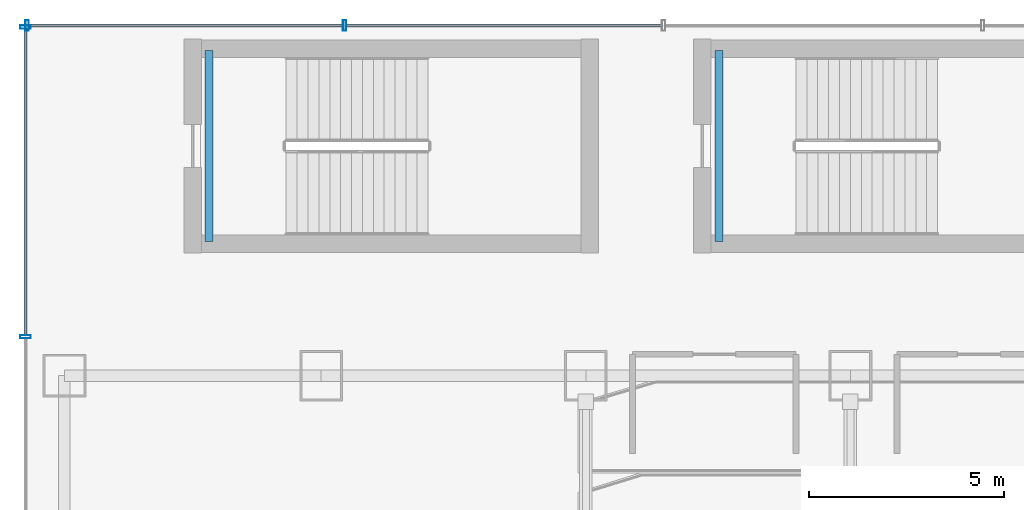
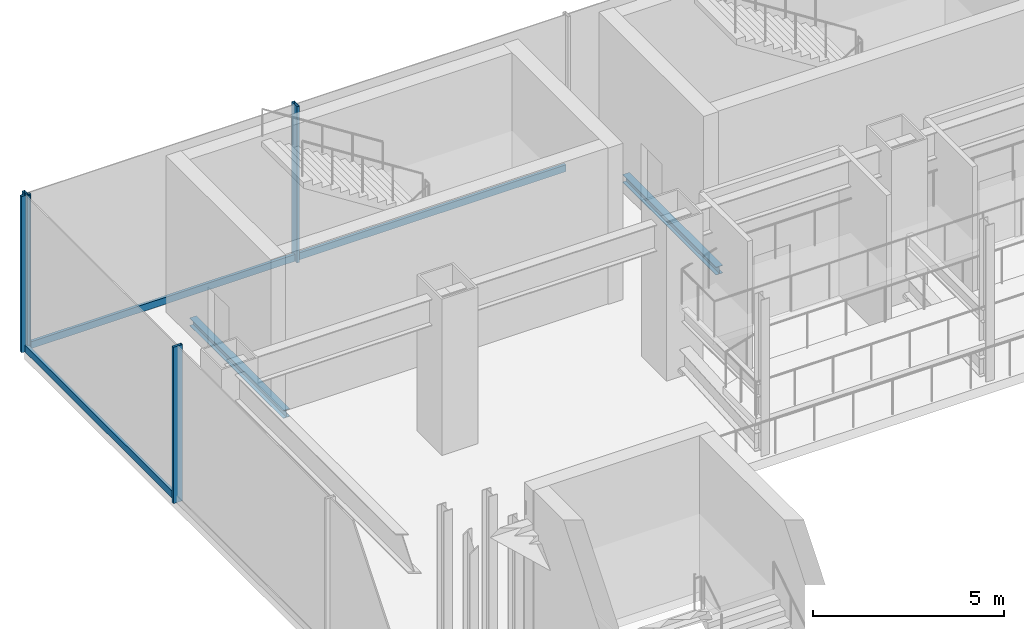
# One storey, part 14 of 40: 7 members, 2 beams, 2 elements without a shape of their own.
"""IFC4 building model written with IfcOpenShell, lengths in metres."""

from ifc_helpers import new_model, si_unit, derived_unit, direction, frame, origin, origin_2d, place, context, subcontext, project, spatial, hollow_rectangle, i_section, extrude, source, transform, mapped, material, material_profile, profile_set, type_object, element, aggregate, save


model = new_model("IFC4")

# Units and contexts
model_context = context("Model", 3, precision=1e-05, world=origin(), true_north=direction((0.0, 1.0)))
body_context = subcontext(model_context, "Body", "Model", "MODEL_VIEW")
ifc_project = project(units=[si_unit("LENGTHUNIT", "METRE"), si_unit("AREAUNIT", "SQUARE_METRE"), si_unit("VOLUMEUNIT", "CUBIC_METRE"), si_unit("PLANEANGLEUNIT", "RADIAN"), si_unit("MASSUNIT", "GRAM", prefix="KILO"), derived_unit("THERMALTRANSMITTANCEUNIT", [(si_unit("POWERUNIT", "WATT"), 1), (si_unit("LENGTHUNIT", "METRE"), -2), (si_unit("THERMODYNAMICTEMPERATUREUNIT", "KELVIN"), -1)])], contexts=[model_context])

# Site, building, storey
site_placement = place(None, origin())
site = spatial("IfcSite", under=ifc_project, at=site_placement, CompositionType="ELEMENT")
building_placement = place(site_placement, origin())
building = spatial("IfcBuilding", under=site, at=building_placement, Name="Skarnbrae Concourse Arena and Tower", CompositionType="ELEMENT")
storey_placement = place(building_placement, frame((0.0, 0.0, 6.0)))
storey = spatial("IfcBuildingStorey", under=building, at=storey_placement, Name="L01", CompositionType="ELEMENT", Elevation=6.0)

# Curtain wall, members
ifc_material_1 = material(Name="Bronze anodised aluminium 6063-T6", Category="aluminium")
curtain_wall_type = type_object("IfcCurtainWallType", Name="CW-SYS-01-PODIUM", PredefinedType="USERDEFINED", material=ifc_material_1)
curtain_wall_1_placement = place(storey_placement, origin())
curtain_wall_1 = element("IfcCurtainWall", 1, at=curtain_wall_1_placement, inside=storey, type_object=curtain_wall_type, Name="L01 Unitised curtain wall CW-L01-N", ObjectType="UNITISED CURTAIN WALL", PredefinedType="USERDEFINED")
ifc_material_profile_1 = material_profile(ifc_material_1, hollow_rectangle(XDim=0.0849609375, YDim=0.280029296875, WallThickness=0.006103515625, at=origin_2d()), Name="ALU-MULL-85X280")
ifc_profile_set_1 = profile_set([ifc_material_profile_1], Name="Bronze anodised aluminium 6063-T6")
member_type_1 = type_object("IfcMemberType", Name="CWM-CW-01", PredefinedType="MULLION", material=ifc_profile_set_1)
shared_shape_1 = source(origin(), body_context, "Body", "SweptSolid", [
    extrude(hollow_rectangle(XDim=0.0849609375, YDim=0.280029296875, WallThickness=0.006103515625, at=origin_2d()), origin(), (0.0, 0.0, 1.0), 5.0),
])
member_1_placement = place(storey_placement, frame((8.199951171875, 56.0, 0.0), z_axis=(0.0, 0.0, 1.0), x_axis=(-1.0, 0.0, 0.0)))
member_1 = element("IfcMember", 2, at=member_1_placement, type_object=member_type_1, Name="CW-L01-N Mullion 10", PredefinedType="MULLION", context=body_context, shape_type="MappedRepresentation", body=[
    mapped(shared_shape_1, transform((0.0, 0.0, 0.0))),
])
member_2_placement = place(storey_placement, frame((0.04248046875, 56.0, 0.0), z_axis=(0.0, 0.0, 1.0), x_axis=(-1.0, 0.0, 0.0)))
member_2 = element("IfcMember", 3, at=member_2_placement, type_object=member_type_1, Name="CW-L01-N Mullion 11", PredefinedType="MULLION", context=body_context, shape_type="MappedRepresentation", body=[
    mapped(shared_shape_1, transform((0.0, 0.0, 0.0))),
])

curtain_wall_2_placement = place(storey_placement, origin())
curtain_wall_2 = element("IfcCurtainWall", 4, at=curtain_wall_2_placement, inside=storey, type_object=curtain_wall_type, Name="L01 Unitised curtain wall CW-L01-W", ObjectType="UNITISED CURTAIN WALL", PredefinedType="USERDEFINED")
member_3_placement = place(storey_placement, frame((0.0, 55.95751953125, 0.0), z_axis=(0.0, 0.0, 1.0), x_axis=(0.0, -1.0, 0.0)))
member_3 = element("IfcMember", 5, at=member_3_placement, type_object=member_type_1, Name="CW-L01-W Mullion 1", PredefinedType="MULLION", context=body_context, shape_type="MappedRepresentation", body=[
    mapped(shared_shape_1, transform((0.0, 0.0, 0.0))),
])
member_4_placement = place(storey_placement, frame((0.0, 48.0, 0.0), z_axis=(0.0, 0.0, 1.0), x_axis=(0.0, -1.0, 0.0)))
member_4 = element("IfcMember", 6, at=member_4_placement, type_object=member_type_1, Name="CW-L01-W Mullion 2", PredefinedType="MULLION", context=body_context, shape_type="MappedRepresentation", body=[
    mapped(shared_shape_1, transform((0.0, 0.0, 0.0))),
])
ifc_material_profile_2 = material_profile(ifc_material_1, hollow_rectangle(XDim=0.0849609375, YDim=0.219970703125, WallThickness=0.006103515625, at=origin_2d()), Name="ALU-TRAN-85X220")
ifc_profile_set_2 = profile_set([ifc_material_profile_2], Name="Bronze anodised aluminium 6063-T6")
member_type_2 = type_object("IfcMemberType", Name="CWT-CW-01", PredefinedType="USERDEFINED", material=ifc_profile_set_2)
shared_shape_2 = source(origin(), body_context, "Body", "SweptSolid", [
    extrude(hollow_rectangle(XDim=0.0849609375, YDim=0.219970703125, WallThickness=0.006103515625, at=origin_2d()), origin(), (0.0, 0.0, 1.0), 7.87255859375),
])
member_5_placement = place(storey_placement, frame((0.0, 55.9150390625, 0.110107421875), z_axis=(0.0, -1.0, 0.0), x_axis=(1.0, 0.0, 0.0)))
member_5 = element("IfcMember", 7, at=member_5_placement, type_object=member_type_2, Name="CW-L01-W Transom 1", ObjectType="TRANSOM", PredefinedType="USERDEFINED", context=body_context, shape_type="MappedRepresentation", body=[
    mapped(shared_shape_2, transform((0.0, 0.0, 0.0))),
])
aggregate(curtain_wall_2, [member_3, member_4, member_5])

# Member
shared_shape_3 = source(origin(), body_context, "Body", "SweptSolid", [
    extrude(hollow_rectangle(XDim=0.0849609375, YDim=0.219970703125, WallThickness=0.006103515625, at=origin_2d()), origin(), (0.0, 0.0, 1.0), 8.072509765625),
])
member_6_placement = place(storey_placement, frame((8.157470703125, 56.0, 0.110107421875), z_axis=(-1.0, 0.0, 0.0), x_axis=(0.0, -1.0, 0.0)))
member_6 = element("IfcMember", 8, at=member_6_placement, type_object=member_type_2, Name="CW-L01-N Transom 10", ObjectType="TRANSOM", PredefinedType="USERDEFINED", context=body_context, shape_type="MappedRepresentation", body=[
    mapped(shared_shape_3, transform((0.0, 0.0, 0.0))),
])

shared_shape_4 = source(origin(), body_context, "Body", "SweptSolid", [
    extrude(hollow_rectangle(XDim=0.0849609375, YDim=0.219970703125, WallThickness=0.006103515625, at=origin_2d()), origin(), (0.0, 0.0, 1.0), 8.114990234375),
])
member_7_placement = place(storey_placement, frame((16.357421875, 56.0, 0.110107421875), z_axis=(-1.0, 0.0, 0.0), x_axis=(0.0, -1.0, 0.0)))
member_7 = element("IfcMember", 9, at=member_7_placement, type_object=member_type_2, Name="CW-L01-N Transom 9", ObjectType="TRANSOM", PredefinedType="USERDEFINED", context=body_context, shape_type="MappedRepresentation", body=[
    mapped(shared_shape_4, transform((0.0, 0.0, 0.0))),
])

aggregate(curtain_wall_1, [member_1, member_2, member_7, member_6])

# Beams
ifc_material_2 = material(Name="Steel CSA G40.21 350W", Category="steel")
ifc_material_profile_3 = material_profile(ifc_material_2, i_section(OverallWidth=0.202880859375, OverallDepth=0.251953125, WebThickness=0.008056640625, FlangeThickness=0.013427734375, at=origin_2d()), Name="W250X58")
ifc_profile_set_3 = profile_set([ifc_material_profile_3], Name="Steel CSA G40.21 350W")
beam_type = type_object("IfcBeamType", Name="BM-LINTEL-W250X58", PredefinedType="LINTEL", material=ifc_profile_set_3)
shared_shape_5 = source(origin(), body_context, "Body", "SweptSolid", [
    extrude(i_section(OverallWidth=0.202880859375, OverallDepth=0.251953125, WebThickness=0.008056640625, FlangeThickness=0.013427734375, at=origin_2d()), origin(), (0.0, 0.0, 1.0), 4.900146484375),
])
for number, where, z_axis, x_axis, name in (
    (10, (4.719970703125, 50.449951171875, -0.325927734375), (0.0, 1.0, 0.0), (-1.0, 0.0, 0.0), "L01 Stair ST-A5 near landing soffit beam"),
    (11, (17.820068359375, 50.449951171875, -0.325927734375), (0.0, 1.0, 0.0), (-1.0, 0.0, 0.0), "L01 Stair ST-A6 near landing soffit beam"),
):
    element("IfcBeam", number, at=place(storey_placement, frame(where, z_axis=z_axis, x_axis=x_axis)), inside=storey, type_object=beam_type, Name=name, PredefinedType="LINTEL", context=body_context, shape_type="MappedRepresentation", body=[
        mapped(shared_shape_5, transform((0.0, 0.0, 0.0))),
    ])

save(model, "model.ifc")
